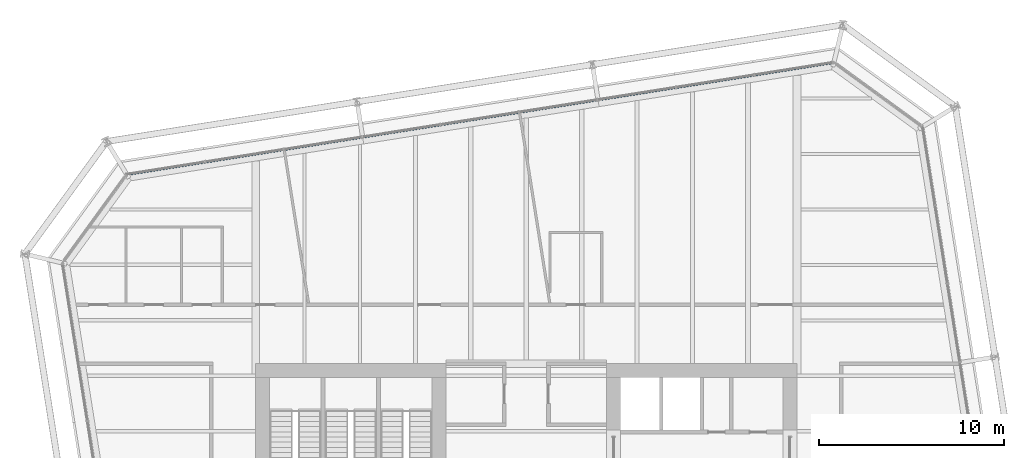
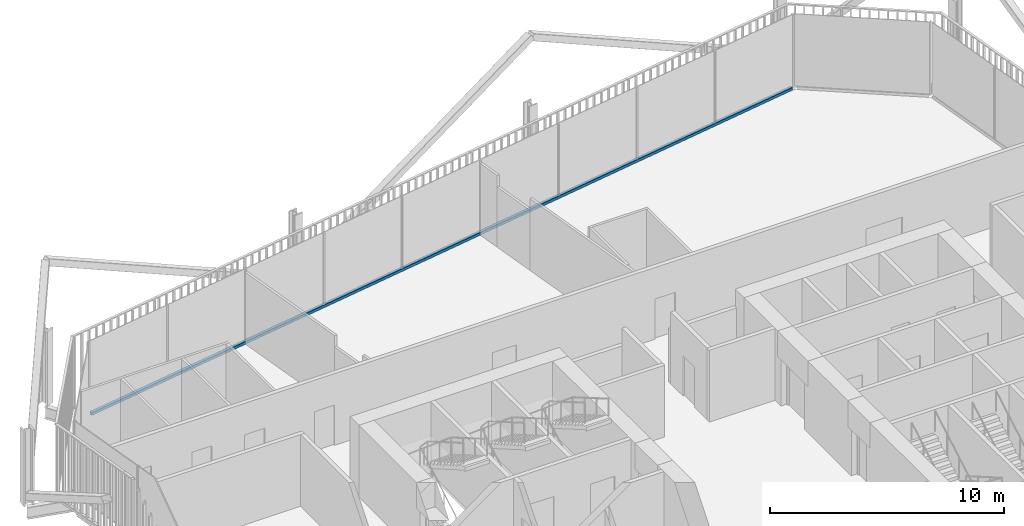
# One storey, part 12 of 22: 1 member, 1 element without a shape of its own.
"""IFC4 building model written with IfcOpenShell, lengths in metres."""

from ifc_helpers import new_model, si_unit, direction, frame, origin, origin_2d, place, context, subcontext, project, spatial, rectangle, extrude, material, layer, layer_set, material_profile, profile_set, type_object, element, aggregate, save


model = new_model("IFC4")

# Units and contexts
model_context = context("Model", 3, precision=1e-05, world=origin(), true_north=direction((0.0, 1.0)))
body_context = subcontext(model_context, "Body", "Model", "MODEL_VIEW")
ifc_project = project(units=[si_unit("LENGTHUNIT", "METRE"), si_unit("AREAUNIT", "SQUARE_METRE"), si_unit("VOLUMEUNIT", "CUBIC_METRE"), si_unit("PLANEANGLEUNIT", "RADIAN"), si_unit("MASSUNIT", "GRAM", prefix="KILO")], contexts=[model_context])

# Site, building, storey
site_placement = place(None, origin())
site = spatial("IfcSite", under=ifc_project, at=site_placement, CompositionType="ELEMENT")
building_placement = place(site_placement, origin())
building = spatial("IfcBuilding", under=site, at=building_placement, Name="Millrace Tower", CompositionType="ELEMENT")
storey_placement = place(building_placement, frame((0.0, 0.0, 137.300048828125)))
storey = spatial("IfcBuildingStorey", under=building, at=storey_placement, Name="L30", CompositionType="ELEMENT", Elevation=137.300048828125)

# Curtain wall, member
ifc_material_1 = material(Name="Aluminium and glass", Category="aluminium")
ifc_layer = layer(ifc_material_1, 0.14990234375)
ifc_layer_set = layer_set([ifc_layer], Name="Aluminium and glass")
curtain_wall_type = type_object("IfcCurtainWallType", Name="CW-1 office vision curtain wall", PredefinedType="NOTDEFINED", material=ifc_layer_set)
curtain_wall_placement = place(storey_placement, origin())
curtain_wall = element("IfcCurtainWall", 1, at=curtain_wall_placement, inside=storey, type_object=curtain_wall_type, Name="Curtain wall C-F06 L30", PredefinedType="NOTDEFINED")
ifc_material_2 = material(Name="Aluminium", Category="aluminium")
ifc_material_profile = material_profile(ifc_material_2, rectangle(XDim=0.14990234375, YDim=0.139892578125, at=origin_2d()))
ifc_profile_set = profile_set([ifc_material_profile], Name="Aluminium")
member_type = type_object("IfcMemberType", Name="CW-1 office vision curtain wall transom", PredefinedType="USERDEFINED", material=ifc_profile_set)
member_placement = place(storey_placement, frame((16.525146484375, 25.946044921875, 0.070068359375), z_axis=(-0.987688505691, -0.156433422663, 0.0), x_axis=(0.156433422663, -0.987688505691, 0.0)))
member = element("IfcMember", 2, at=member_placement, type_object=member_type, Name="CW1 transom C-F06.1", ObjectType="TRANSOM", PredefinedType="USERDEFINED", context=body_context, shape_type="SweptSolid", body=[
    extrude(rectangle(XDim=0.14990234375, YDim=0.139892578125, at=origin_2d()), origin(), (0.0, 0.0, 1.0), 38.5),
])
aggregate(curtain_wall, [member])

save(model, "model.ifc")
